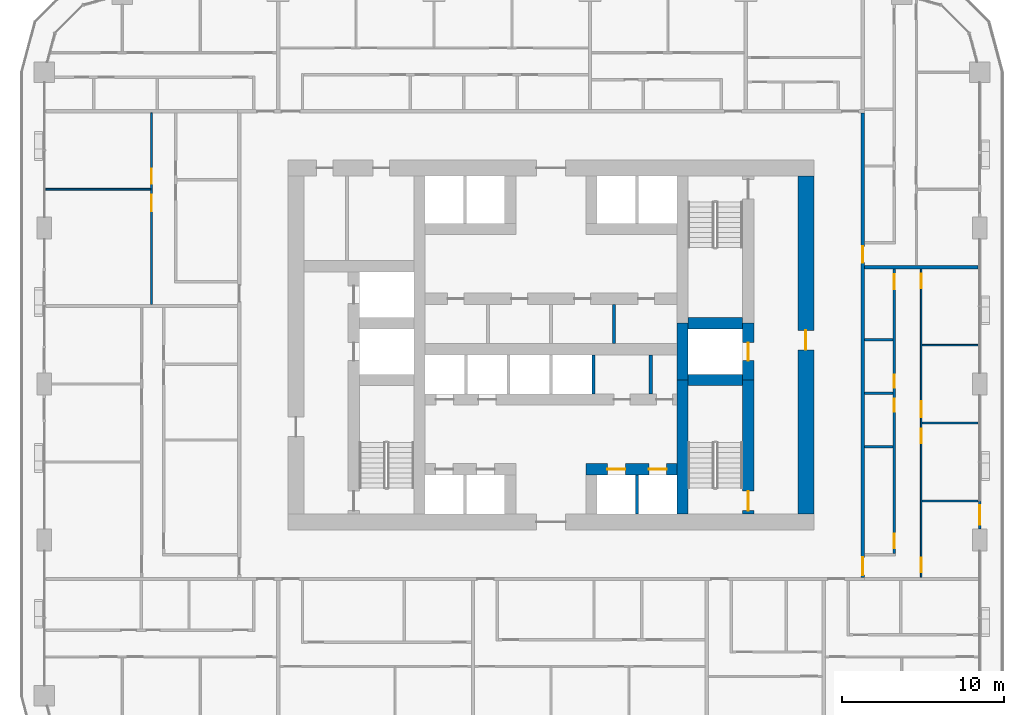
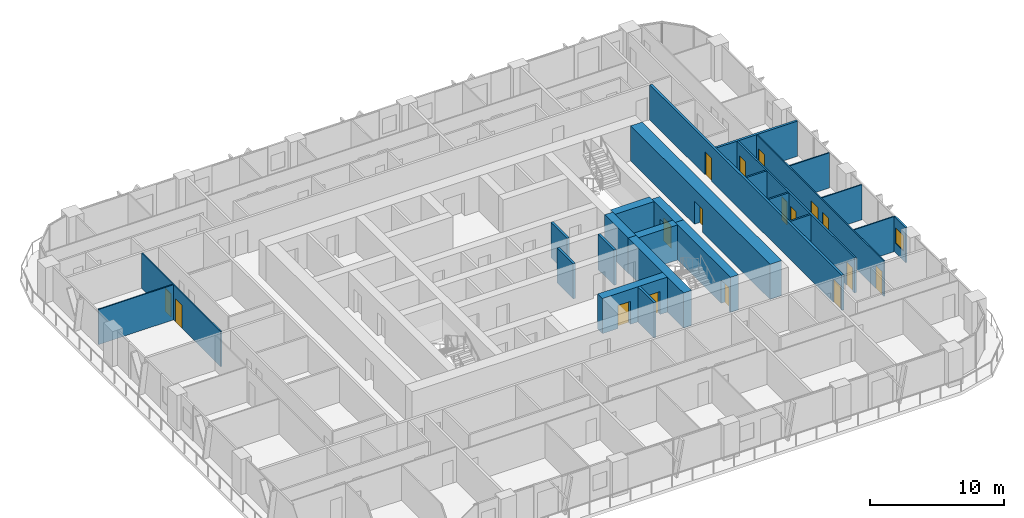
# One storey, part 12 of 21: 25 walls, 17 doors, 1 window, 18 openings.
"""IFC4 building model written with IfcOpenShell, lengths in metres."""

import ifcopenshell
import ifcopenshell.guid

model = None  # the IFC model being written
_history = None  # IfcOwnerHistory: only IFC2X3 demands one
_inside = {}  # id of a spatial element -> (the spatial element, [elements in it])
_under = {}  # id of a project, library or spatial element -> (it, [spatial elements below it])
_declared = {}  # id of a project -> (the project, [libraries it declares])
_typed = {}  # id of a type object -> (the type object, [elements of that type])
_made_of = {}  # id of a material, layer set ... -> (it, [elements and type objects made of it])


def new_model(schema):
    """Start an empty IFC model of exactly this schema.

    Asked for "IFC4X3", IfcOpenShell would pick the latest addendum, in which some entities
    have other attributes; the version numbers below select the first issue.
    IFC2X3 requires an IfcOwnerHistory on every rooted entity: one is made here for all.
    """
    global model, _history
    if schema == "IFC4X3":
        model = ifcopenshell.file(schema_version=(4, 3, 0, 0))
    else:
        model = ifcopenshell.file(schema=schema)
    _inside.clear()
    _under.clear()
    _declared.clear()
    _typed.clear()
    _made_of.clear()
    _history = None
    if model.schema == "IFC2X3":
        org = make("IfcOrganization", Name="unknown")
        user = make(
            "IfcPersonAndOrganization",
            ThePerson=make("IfcPerson", FamilyName="unknown"),
            TheOrganization=org,
        )
        app = make(
            "IfcApplication",
            ApplicationDeveloper=org,
            Version="unknown",
            ApplicationFullName="unknown",
            ApplicationIdentifier="unknown",
        )
        _history = make(
            "IfcOwnerHistory",
            OwningUser=user,
            OwningApplication=app,
            ChangeAction="ADDED",
            CreationDate=0,
        )
    return model


def make(cls, **values):
    """One entity of the class cls with the attributes given. An attribute that is None is left unset."""
    return model.create_entity(
        cls, **{name: value for name, value in values.items() if value is not None}
    )


def rooted(cls, **values):
    """An entity with a GlobalId (a new one), such as an element, a storey or a relation."""
    return make(cls, GlobalId=ifcopenshell.guid.new(), OwnerHistory=_history, **values)


def si_unit(unit_type, name, prefix=None):
    """IfcSIUnit, for example si_unit("LENGTHUNIT", "METRE", prefix="MILLI")."""
    return make("IfcSIUnit", UnitType=unit_type, Prefix=prefix, Name=name)


def assignment(units):
    """IfcUnitAssignment: the units of a project."""
    return None if units is None else make("IfcUnitAssignment", Units=units)


def point(xyz):
    """IfcCartesianPoint."""
    return None if xyz is None else make("IfcCartesianPoint", Coordinates=xyz)


def direction(xyz):
    """IfcDirection."""
    return None if xyz is None else make("IfcDirection", DirectionRatios=xyz)


def frame(location, z_axis=None, x_axis=None):
    """IfcAxis2Placement3D, a coordinate frame: its origin and axes. An axis left out is left unset."""
    return make(
        "IfcAxis2Placement3D",
        Location=point(location),
        Axis=direction(z_axis),
        RefDirection=direction(x_axis),
    )


def frame_2d(location, x_axis=None):
    """IfcAxis2Placement2D, a coordinate frame in the plane: its origin and x axis."""
    return make(
        "IfcAxis2Placement2D", Location=point(location), RefDirection=direction(x_axis)
    )


def origin():
    """The frame at (0, 0, 0) with its axes left unset."""
    return frame((0.0, 0.0, 0.0))


def place(relative_to, where):
    """IfcLocalPlacement: puts the frame where relative to a parent placement (None: the world)."""
    return make(
        "IfcLocalPlacement", PlacementRelTo=relative_to, RelativePlacement=where
    )


def context(
    kind, dimensions, precision=None, world=None, true_north=None, identifier=None
):
    """IfcGeometricRepresentationContext, for example the 3D "Model" context."""
    return make(
        "IfcGeometricRepresentationContext",
        ContextIdentifier=identifier,
        ContextType=kind,
        CoordinateSpaceDimension=dimensions,
        Precision=precision,
        WorldCoordinateSystem=world,
        TrueNorth=true_north,
    )


def subcontext(parent, identifier, kind, view, scale=None):
    """IfcGeometricRepresentationSubContext, for example "Body" below "Model"."""
    return make(
        "IfcGeometricRepresentationSubContext",
        ContextIdentifier=identifier,
        ContextType=kind,
        ParentContext=parent,
        TargetScale=scale,
        TargetView=view,
    )


def project(units=None, contexts=None):
    """IfcProject with its units and contexts."""
    return rooted(
        "IfcProject",
        Name="project",
        RepresentationContexts=contexts,
        UnitsInContext=assignment(units),
    )


def spatial(cls, under=None, at=None, **own):
    """A site, building, storey or space (cls), placed at a placement, below another one or the project."""
    s = rooted(cls, ObjectPlacement=at, **own)
    if under is not None:
        _under.setdefault(under.id(), (under, []))[1].append(s)
    return s


def profile(cls, at=None, kind="AREA", **sizes):
    """A parametric profile (cls). Its sizes go by their IFC names, for example OverallWidth=200.0."""
    return make(cls, ProfileType=kind, Position=at, **sizes)


def rectangle(**sizes):
    """IfcRectangleProfileDef."""
    return profile("IfcRectangleProfileDef", **sizes)


def extrude(swept, where, along, depth):
    """IfcExtrudedAreaSolid: the profile swept, set in the frame where, extruded along a direction by depth."""
    return make(
        "IfcExtrudedAreaSolid",
        SweptArea=swept,
        Position=where,
        ExtrudedDirection=direction(along),
        Depth=depth,
    )


def shape(context_of_items, identifier, shape_type, items):
    """IfcShapeRepresentation: the items that make up one representation, for example the "Body"."""
    return make(
        "IfcShapeRepresentation",
        ContextOfItems=context_of_items,
        RepresentationIdentifier=identifier,
        RepresentationType=shape_type,
        Items=items,
    )


def material(Name=None, Category=None):
    """IfcMaterial."""
    return make("IfcMaterial", Name=Name, Category=Category)


def layer(
    of_material, thickness, ventilated=None, Name=None, Category=None, Priority=None
):
    """IfcMaterialLayer: one layer of a wall or slab, of a material (None: an air gap)."""
    return make(
        "IfcMaterialLayer",
        Material=of_material,
        LayerThickness=thickness,
        IsVentilated=ventilated,
        Name=Name,
        Category=Category,
        Priority=Priority,
    )


def layer_set(layers, Name=None):
    """IfcMaterialLayerSet."""
    return make("IfcMaterialLayerSet", MaterialLayers=layers, LayerSetName=Name)


def made_of(thing, what):
    """Note that an element or type object is made of a material, layer set ...; save() writes the relation."""
    if what is not None:
        _made_of.setdefault(what.id(), (what, []))[1].append(thing)
    return thing


def type_object(cls, material=None, **own):
    """A type object (cls), such as IfcWallType, which elements share."""
    return made_of(rooted(cls, **own), material)


def element(
    cls,
    number,
    at=None,
    inside=None,
    cuts=None,
    type_object=None,
    material=None,
    context=None,
    identifier="Body",
    shape_type=None,
    held_by="IfcProductDefinitionShape",
    body=None,
    shapes=None,
    **own,
):
    """One element of the class cls, such as IfcWall. Its Tag is "e" and its number.

    at: its placement. inside: the storey or other place that contains it. cuts: it is an
    opening in that element (IfcRelVoidsElement). A single representation is given by context,
    identifier, shape_type and body (its items); several are given by shapes. held_by: the class
    of the entity that holds the representations. save() writes the other relations.
    """
    e = rooted(cls, Tag="e%d" % number, ObjectPlacement=at, **own)
    if body is not None:
        shapes = [shape(context, identifier, shape_type, body)]
    if shapes is not None:
        e.Representation = make(held_by, Representations=shapes)
    if inside is not None:
        _inside.setdefault(inside.id(), (inside, []))[1].append(e)
    if cuts is not None:
        rooted(
            "IfcRelVoidsElement", RelatingBuildingElement=cuts, RelatedOpeningElement=e
        )
    if type_object is not None:
        _typed.setdefault(type_object.id(), (type_object, []))[1].append(e)
    return made_of(e, material)


def fill(opening, filler):
    """IfcRelFillsElement: the door or window that sits in an opening."""
    return rooted(
        "IfcRelFillsElement",
        RelatingOpeningElement=opening,
        RelatedBuildingElement=filler,
    )


def aggregate(whole, parts):
    """IfcRelAggregates: a whole, such as a stair, and the parts it consists of."""
    return rooted("IfcRelAggregates", RelatingObject=whole, RelatedObjects=parts)


def save(model, path):
    """Write the relations noted so far, then the file.

    IfcRelAggregates (storeys below a building ...), IfcRelContainedInSpatialStructure (elements
    in a storey), IfcRelDefinesByType, IfcRelAssociatesMaterial and IfcRelDeclares: one each for
    every whole, place, type object, material and project.
    """
    for whole, parts in _under.values():
        aggregate(whole, parts)
    for where, things in _inside.values():
        rooted(
            "IfcRelContainedInSpatialStructure",
            RelatedElements=things,
            RelatingStructure=where,
        )
    for kind, things in _typed.values():
        rooted("IfcRelDefinesByType", RelatedObjects=things, RelatingType=kind)
    for what, things in _made_of.values():
        rooted("IfcRelAssociatesMaterial", RelatedObjects=things, RelatingMaterial=what)
    for by, libraries in _declared.values():
        rooted("IfcRelDeclares", RelatingContext=by, RelatedDefinitions=libraries)
    model.write(path)


model = new_model("IFC4")

# Units and contexts
model_context = context("Model", 3, precision=1e-05, world=origin(), true_north=direction((0.0, 1.0)))
body_context = subcontext(model_context, "Body", "Model", "MODEL_VIEW")
ifc_project = project(units=[si_unit("LENGTHUNIT", "METRE"), si_unit("AREAUNIT", "SQUARE_METRE"), si_unit("VOLUMEUNIT", "CUBIC_METRE"), si_unit("PLANEANGLEUNIT", "RADIAN"), si_unit("MASSUNIT", "GRAM", prefix="KILO")], contexts=[model_context])

# Site, building, storey
site_placement = place(None, origin())
site = spatial("IfcSite", under=ifc_project, at=site_placement, CompositionType="ELEMENT")
building_placement = place(site_placement, origin())
building = spatial("IfcBuilding", under=site, at=building_placement, Name="Madar Terraces", CompositionType="ELEMENT")
storey_placement = place(building_placement, frame((0.0, 0.0, 36.39990234375)))
storey = spatial("IfcBuildingStorey", under=building, at=storey_placement, Name="L08", CompositionType="ELEMENT", Elevation=36.39990234375)

# Walls
ifc_material_1 = material(Name="Concrete C80/95", Category="concrete")
ifc_layer_1 = layer(ifc_material_1, 0.699951171875)
ifc_layer_set_1 = layer_set([ifc_layer_1], Name="Concrete C80/95 (CIW1 RC wall 700)")
wall_type_1 = type_object("IfcWallType", Name="CIW1 RC wall 700", PredefinedType="SHEAR", material=ifc_layer_set_1)
wall_1_placement = place(storey_placement, frame((39.300048828125, 16.0, 0.0), z_axis=(0.0, 0.0, 1.0), x_axis=(0.0, 1.0, 0.0)))
element("IfcWall", 1, at=wall_1_placement, inside=storey, type_object=wall_type_1, Name="CORE SHAFT WALL", PredefinedType="SHEAR", context=body_context, shape_type="SweptSolid", body=[
    extrude(rectangle(XDim=8.25, YDim=0.699951171875, at=frame_2d((4.125, 0.0))), origin(), (0.0, 0.0, 1.0), 3.2001953125),
])
wall_2_placement = place(storey_placement, frame((39.300048828125, 24.25, 0.0), z_axis=(0.0, 0.0, 1.0), x_axis=(0.0, 1.0, 0.0)))
element("IfcWall", 2, at=wall_2_placement, inside=storey, type_object=wall_type_1, Name="CORE SHAFT WALL", PredefinedType="SHEAR", context=body_context, shape_type="SweptSolid", body=[
    extrude(rectangle(XDim=3.5, YDim=0.699951171875, at=frame_2d((1.75, 0.0))), origin(), (0.0, 0.0, 1.0), 3.2001953125),
])

# Wall, opening, door
wall_3_placement = place(storey_placement, frame((43.35009765625, 16.0, 0.0), z_axis=(0.0, 0.0, 1.0), x_axis=(0.0, 1.0, 0.0)))
wall_3 = element("IfcWall", 3, at=wall_3_placement, inside=storey, type_object=wall_type_1, Name="CORE SHAFT WALL", PredefinedType="SHEAR", context=body_context, shape_type="SweptSolid", body=[
    extrude(rectangle(XDim=8.25, YDim=0.699951171875, at=frame_2d((4.125, 0.0))), origin(), (0.0, 0.0, 1.0), 3.2001953125),
])
opening_1_placement = place(wall_3_placement, frame((0.199951171875, 0.0, 0.0)))
opening_1 = element("IfcOpeningElement", 4, at=opening_1_placement, cuts=wall_3, Name="Opening SD1", PredefinedType="OPENING", context=body_context, shape_type="SweptSolid", body=[
    extrude(rectangle(XDim=1.199951171875, YDim=2.10009765625, at=frame_2d((0.60009765625, 1.050048828125))), frame((0.0, 0.35986328125, 0.0), z_axis=(0.0, -1.0, 0.0), x_axis=(1.0, 0.0, 0.0)), (0.0, 0.0, 1.0), 0.719970703125),
])
ifc_material_2 = material(Name="Steel door leaf", Category="steel")
door_type_1 = type_object("IfcDoorType", Name="Stair door 1200 x 2100", OperationType="NOTDEFINED", PredefinedType="DOOR", material=ifc_material_2)
door_1_placement = place(opening_1_placement, origin())
door_1 = element("IfcDoor", 5, at=door_1_placement, inside=storey, type_object=door_type_1, Name="STAIR DOOR", OperationType="SINGLE_SWING_LEFT", OverallHeight=2.10009765625, OverallWidth=1.199951171875, PredefinedType="DOOR", context=body_context, shape_type="SweptSolid", body=[
    extrude(rectangle(XDim=1.199951171875, YDim=2.10009765625, at=frame_2d((0.60009765625, 1.050048828125))), frame((0.0, 0.02490234375, 0.0), z_axis=(0.0, -1.0, 0.0), x_axis=(1.0, 0.0, 0.0)), (0.0, 0.0, 1.0), 0.050048828125),
])
fill(opening_1, door_1)

wall_4_placement = place(storey_placement, frame((43.35009765625, 24.25, 0.0), z_axis=(0.0, 0.0, 1.0), x_axis=(0.0, 1.0, 0.0)))
wall_4 = element("IfcWall", 6, at=wall_4_placement, inside=storey, type_object=wall_type_1, Name="CORE SHAFT WALL", PredefinedType="SHEAR", context=body_context, shape_type="SweptSolid", body=[
    extrude(rectangle(XDim=3.5, YDim=0.699951171875, at=frame_2d((1.75, 0.0))), origin(), (0.0, 0.0, 1.0), 3.2001953125),
])
opening_2_placement = place(wall_4_placement, frame((1.199951171875, 0.0, 0.0)))
opening_2 = element("IfcOpeningElement", 7, at=opening_2_placement, cuts=wall_4, Name="Opening LD", PredefinedType="OPENING", context=body_context, shape_type="SweptSolid", body=[
    extrude(rectangle(XDim=1.10009765625, YDim=2.10009765625, at=frame_2d((0.550048828125, 1.050048828125))), frame((0.0, 0.35986328125, 0.0), z_axis=(0.0, -1.0, 0.0), x_axis=(1.0, 0.0, 0.0)), (0.0, 0.0, 1.0), 0.719970703125),
])
ifc_material_3 = material(Name="Stainless steel panel", Category="steel")
door_type_2 = type_object("IfcDoorType", Name="Lift landing door 1100 x 2100", OperationType="DOUBLE_DOOR_SLIDING", PredefinedType="DOOR", material=ifc_material_3)
door_2_placement = place(opening_2_placement, origin())
door_2 = element("IfcDoor", 8, at=door_2_placement, inside=storey, type_object=door_type_2, Name="LIFT LANDING DOOR", OperationType="DOUBLE_DOOR_SLIDING", OverallHeight=2.10009765625, OverallWidth=1.10009765625, PredefinedType="DOOR", context=body_context, shape_type="SweptSolid", body=[
    extrude(rectangle(XDim=1.10009765625, YDim=2.10009765625, at=frame_2d((0.550048828125, 1.050048828125))), frame((0.0, 0.02490234375, 0.0), z_axis=(0.0, -1.0, 0.0), x_axis=(1.0, 0.0, 0.0)), (0.0, 0.0, 1.0), 0.050048828125),
])
fill(opening_2, door_2)

# Walls
for number, where, z_axis, x_axis, name in (
    (9, (39.64990234375, 24.25, 0.0), (0.0, 0.0, 1.0), (1.0, 0.0, 0.0), "CORE SHAFT WALL"),
    (10, (39.64990234375, 27.75, 0.0), (0.0, 0.0, 1.0), (1.0, 0.0, 0.0), "CORE SHAFT WALL"),
):
    element("IfcWall", number, at=place(storey_placement, frame(where, z_axis=z_axis, x_axis=x_axis)), inside=storey, type_object=wall_type_1, Name=name, PredefinedType="SHEAR", context=body_context, shape_type="SweptSolid", body=[
        extrude(rectangle(XDim=3.35009765625, YDim=0.699951171875, at=frame_2d((1.675048828125, 0.0))), origin(), (0.0, 0.0, 1.0), 3.2001953125),
    ])

# Wall, openings, doors
wall_5_placement = place(storey_placement, frame((33.35009765625, 18.75, 0.0), z_axis=(0.0, 0.0, 1.0), x_axis=(1.0, 0.0, 0.0)))
wall_5 = element("IfcWall", 11, at=wall_5_placement, inside=storey, type_object=wall_type_1, Name="CORE SHAFT WALL", PredefinedType="SHEAR", context=body_context, shape_type="SweptSolid", body=[
    extrude(rectangle(XDim=5.599853515625, YDim=0.699951171875, at=frame_2d((2.7998046875, 0.0))), origin(), (0.0, 0.0, 1.0), 3.2001953125),
])
opening_3_placement = place(wall_5_placement, frame((1.324951171875, 0.0, 0.0)))
opening_3 = element("IfcOpeningElement", 12, at=opening_3_placement, cuts=wall_5, Name="Opening LD", PredefinedType="OPENING", context=body_context, shape_type="SweptSolid", body=[
    extrude(rectangle(XDim=1.10009765625, YDim=2.10009765625, at=frame_2d((0.550048828125, 1.050048828125))), frame((0.0, 0.35986328125, 0.0), z_axis=(0.0, -1.0, 0.0), x_axis=(1.0, 0.0, 0.0)), (0.0, 0.0, 1.0), 0.719970703125),
])
opening_4_placement = place(wall_5_placement, frame((3.875, 0.0, 0.0)))
opening_4 = element("IfcOpeningElement", 13, at=opening_4_placement, cuts=wall_5, Name="Opening LD", PredefinedType="OPENING", context=body_context, shape_type="SweptSolid", body=[
    extrude(rectangle(XDim=1.10009765625, YDim=2.10009765625, at=frame_2d((0.550048828125, 1.050048828125))), frame((0.0, 0.35986328125, 0.0), z_axis=(0.0, -1.0, 0.0), x_axis=(1.0, 0.0, 0.0)), (0.0, 0.0, 1.0), 0.719970703125),
])
door_3_placement = place(opening_3_placement, origin())
door_3 = element("IfcDoor", 14, at=door_3_placement, inside=storey, type_object=door_type_2, Name="LIFT LANDING DOOR", OperationType="DOUBLE_DOOR_SLIDING", OverallHeight=2.10009765625, OverallWidth=1.10009765625, PredefinedType="DOOR", context=body_context, shape_type="SweptSolid", body=[
    extrude(rectangle(XDim=1.10009765625, YDim=2.10009765625, at=frame_2d((0.550048828125, 1.050048828125))), frame((0.0, 0.02490234375, 0.0), z_axis=(0.0, -1.0, 0.0), x_axis=(1.0, 0.0, 0.0)), (0.0, 0.0, 1.0), 0.050048828125),
])
fill(opening_3, door_3)
door_4_placement = place(opening_4_placement, origin())
door_4 = element("IfcDoor", 15, at=door_4_placement, inside=storey, type_object=door_type_2, Name="LIFT LANDING DOOR", OperationType="DOUBLE_DOOR_SLIDING", OverallHeight=2.10009765625, OverallWidth=1.10009765625, PredefinedType="DOOR", context=body_context, shape_type="SweptSolid", body=[
    extrude(rectangle(XDim=1.10009765625, YDim=2.10009765625, at=frame_2d((0.550048828125, 1.050048828125))), frame((0.0, 0.02490234375, 0.0), z_axis=(0.0, -1.0, 0.0), x_axis=(1.0, 0.0, 0.0)), (0.0, 0.0, 1.0), 0.050048828125),
])
fill(opening_4, door_4)

# Wall, opening, door
ifc_material_4 = material(Name="Concrete C80/95", Category="concrete")
ifc_layer_2 = layer(ifc_material_4, 1.0)
ifc_layer_set_2 = layer_set([ifc_layer_2], Name="Concrete C80/95 (CRW1 RC wall 1000)")
wall_type_2 = type_object("IfcWallType", Name="CRW1 RC wall 1000", PredefinedType="SHEAR", material=ifc_layer_set_2)
wall_6_placement = place(storey_placement, frame((46.89990234375, 16.0, 0.0), z_axis=(0.0, 0.0, 1.0), x_axis=(0.0, 1.0, 0.0)))
wall_6 = element("IfcWall", 16, at=wall_6_placement, inside=storey, type_object=wall_type_2, Name="CORE OUTER WALL", PredefinedType="SHEAR", context=body_context, shape_type="SweptSolid", body=[
    extrude(rectangle(XDim=20.800048828125, YDim=1.0, at=frame_2d((10.39990234375, 0.0))), origin(), (0.0, 0.0, 1.0), 3.2001953125),
])
opening_5_placement = place(wall_6_placement, frame((10.10009765625, 0.0, 0.0)))
opening_5 = element("IfcOpeningElement", 17, at=opening_5_placement, cuts=wall_6, Name="Opening SD1", PredefinedType="OPENING", context=body_context, shape_type="SweptSolid", body=[
    extrude(rectangle(XDim=1.199951171875, YDim=2.10009765625, at=frame_2d((0.60009765625, 1.050048828125))), frame((0.0, 0.510009765625, 0.0), z_axis=(0.0, -1.0, 0.0), x_axis=(1.0, 0.0, 0.0)), (0.0, 0.0, 1.0), 1.02001953125),
])
door_5_placement = place(opening_5_placement, origin())
door_5 = element("IfcDoor", 18, at=door_5_placement, inside=storey, type_object=door_type_1, Name="STAIR DOOR", OperationType="SINGLE_SWING_RIGHT", OverallHeight=2.10009765625, OverallWidth=1.199951171875, PredefinedType="DOOR", context=body_context, shape_type="SweptSolid", body=[
    extrude(rectangle(XDim=1.199951171875, YDim=2.10009765625, at=frame_2d((0.60009765625, 1.050048828125))), frame((0.0, 0.02490234375, 0.0), z_axis=(0.0, -1.0, 0.0), x_axis=(1.0, 0.0, 0.0)), (0.0, 0.0, 1.0), 0.050048828125),
])
fill(opening_5, door_5)

# Walls
ifc_material_5 = material(Name="Masonry blockwork", Category="masonry")
ifc_layer_3 = layer(ifc_material_5, 0.199951171875)
ifc_layer_set_3 = layer_set([ifc_layer_3], Name="Core partition 200 blockwork")
wall_type_3 = type_object("IfcWallType", Name="Core partition 200 blockwork", PredefinedType="PARTITIONING", material=ifc_layer_set_3)
wall_7_placement = place(storey_placement, frame((37.33935546875, 23.39990234375, 0.0), z_axis=(0.0, 0.0, 1.0), x_axis=(0.0, 1.0, 0.0)))
element("IfcWall", 19, at=wall_7_placement, inside=storey, type_object=wall_type_3, Name="SERVICE ROOM PARTITION", PredefinedType="PARTITIONING", context=body_context, shape_type="SweptSolid", body=[
    extrude(rectangle(XDim=2.400146484375, YDim=0.199951171875, at=frame_2d((1.2001953125, 0.0))), origin(), (0.0, 0.0, 1.0), 3.2001953125),
])
wall_8_placement = place(storey_placement, frame((35.074951171875, 26.5, 0.0), z_axis=(0.0, 0.0, 1.0), x_axis=(0.0, 1.0, 0.0)))
element("IfcWall", 20, at=wall_8_placement, inside=storey, type_object=wall_type_3, Name="SERVICE ROOM PARTITION", PredefinedType="PARTITIONING", context=body_context, shape_type="SweptSolid", body=[
    extrude(rectangle(XDim=2.39990234375, YDim=0.199951171875, at=frame_2d((1.199951171875, 0.0))), origin(), (0.0, 0.0, 1.0), 3.2001953125),
])
ifc_material_6 = material(Name="Concrete C40/50", Category="concrete")
ifc_layer_4 = layer(ifc_material_6, 0.199951171875)
ifc_layer_set_4 = layer_set([ifc_layer_4], Name="Core shaft dividing wall 200 C40/50")
wall_type_4 = type_object("IfcWallType", Name="Core shaft dividing wall 200 C40/50", PredefinedType="SOLIDWALL", material=ifc_layer_set_4)
wall_9_placement = place(storey_placement, frame((33.816650390625, 23.39990234375, 0.0), z_axis=(0.0, 0.0, 1.0), x_axis=(0.0, 1.0, 0.0)))
element("IfcWall", 21, at=wall_9_placement, inside=storey, type_object=wall_type_4, Name="SHAFT DIVIDING WALL", PredefinedType="SOLIDWALL", context=body_context, shape_type="SweptSolid", body=[
    extrude(rectangle(XDim=2.400146484375, YDim=0.199951171875, at=frame_2d((1.2001953125, 0.0))), origin(), (0.0, 0.0, 1.0), 3.2001953125),
])
wall_10_placement = place(storey_placement, frame((36.5, 16.0, 0.0), z_axis=(0.0, 0.0, 1.0), x_axis=(0.0, 1.0, 0.0)))
element("IfcWall", 22, at=wall_10_placement, inside=storey, type_object=wall_type_4, Name="SHAFT DIVIDING WALL", PredefinedType="SOLIDWALL", context=body_context, shape_type="SweptSolid", body=[
    extrude(rectangle(XDim=2.39990234375, YDim=0.199951171875, at=frame_2d((1.199951171875, 0.0))), origin(), (0.0, 0.0, 1.0), 3.2001953125),
])

# Wall, opening, window
ifc_material_7 = material(Name="Aluminium composite panel, black, over insulated backing", Category="aluminium")
ifc_layer_5 = layer(ifc_material_7, 0.14990234375)
ifc_layer_set_5 = layer_set([ifc_layer_5], Name="Facade bay panel 150")
wall_type_5 = type_object("IfcWallType", Name="Facade bay panel 150", PredefinedType="SOLIDWALL", material=ifc_layer_set_5)
wall_11_placement = place(storey_placement, frame((57.60009765625, 15.074951171875, 0.0), z_axis=(0.0, 0.0, 1.0), x_axis=(0.0, 1.0, 0.0)))
wall_11 = element("IfcWall", 23, at=wall_11_placement, inside=storey, type_object=wall_type_5, Name="Facade bay panel", PredefinedType="SOLIDWALL", context=body_context, shape_type="SweptSolid", body=[
    extrude(rectangle(XDim=1.72509765625, YDim=0.14990234375, at=frame_2d((0.862548828125, 0.0))), origin(), (0.0, 0.0, 1.0), 3.2001953125),
])
opening_6_placement = place(wall_11_placement, frame((0.262451171875, 0.0, 0.89990234375)))
opening_6 = element("IfcOpeningElement", 24, at=opening_6_placement, cuts=wall_11, Name="Opening W1", PredefinedType="OPENING", context=body_context, shape_type="SweptSolid", body=[
    extrude(rectangle(XDim=1.199951171875, YDim=1.39990234375, at=frame_2d((0.60009765625, 0.699951171875))), frame((0.0, 0.0849609375, 0.0), z_axis=(0.0, -1.0, 0.0), x_axis=(1.0, 0.0, 0.0)), (0.0, 0.0, 1.0), 0.169921875),
])
ifc_material_8 = material(Name="Glass, clear, with black aluminium frame", Category="aluminium")
window_type = type_object("IfcWindowType", Name="Vent window 1200 x 1400", PartitioningType="SINGLE_PANEL", PredefinedType="WINDOW", material=ifc_material_8)
window_placement = place(opening_6_placement, origin())
window = element("IfcWindow", 25, at=window_placement, inside=storey, type_object=window_type, Name="Operable vent window", OverallHeight=1.39990234375, OverallWidth=1.199951171875, PartitioningType="SINGLE_PANEL", PredefinedType="WINDOW", context=body_context, shape_type="SweptSolid", body=[
    extrude(rectangle(XDim=1.199951171875, YDim=1.39990234375, at=frame_2d((0.60009765625, 0.699951171875))), frame((0.0, 0.030029296875, 0.0), z_axis=(0.0, -1.0, 0.0), x_axis=(1.0, 0.0, 0.0)), (0.0, 0.0, 1.0), 0.06005859375),
])
fill(opening_6, window)

# Walls
ifc_material_9 = material(Name="Gypsum board on steel studs", Category="steel")
ifc_layer_6 = layer(ifc_material_9, 0.10009765625)
ifc_layer_set_6 = layer_set([ifc_layer_6], Name="Flat partition 100")
wall_type_6 = type_object("IfcWallType", Name="Flat partition 100", PredefinedType="PARTITIONING", material=ifc_layer_set_6)
for number, where, z_axis, x_axis, name in (
    (26, (54.050048828125, 16.800048828125, 0.0), (0.0, 0.0, 1.0), (1.0, 0.0, 0.0), "Flat partition 100"),
    (27, (54.050048828125, 21.60009765625, 0.0), (0.0, 0.0, 1.0), (1.0, 0.0, 0.0), "Flat partition 100"),
    (28, (54.050048828125, 26.39990234375, 0.0), (0.0, 0.0, 1.0), (1.0, 0.0, 0.0), "Flat partition 100"),
):
    element("IfcWall", number, at=place(storey_placement, frame(where, z_axis=z_axis, x_axis=x_axis)), inside=storey, type_object=wall_type_6, Name=name, PredefinedType="PARTITIONING", context=body_context, shape_type="SweptSolid", body=[
        extrude(rectangle(XDim=3.449951171875, YDim=0.10009765625, at=frame_2d((1.72509765625, 0.0))), origin(), (0.0, 0.0, 1.0), 3.2001953125),
    ])

# Wall, openings, doors
wall_12_placement = place(storey_placement, frame((54.0, 31.10009765625, 0.0), z_axis=(0.0, 0.0, 1.0), x_axis=(0.0, -1.0, 0.0)))
wall_12 = element("IfcWall", 29, at=wall_12_placement, inside=storey, type_object=wall_type_6, Name="Flat partition 100", PredefinedType="PARTITIONING", context=body_context, shape_type="SweptSolid", body=[
    extrude(rectangle(XDim=19.0, YDim=0.10009765625, at=frame_2d((9.5, 0.0))), origin(), (0.0, 0.0, 1.0), 3.2001953125),
])
opening_7_placement = place(wall_12_placement, frame((17.800048828125, 0.0, 0.0)))
opening_7 = element("IfcOpeningElement", 30, at=opening_7_placement, cuts=wall_12, Name="Opening D2", PredefinedType="OPENING", context=body_context, shape_type="SweptSolid", body=[
    extrude(rectangle(XDim=0.89990234375, YDim=2.10009765625, at=frame_2d((0.449951171875, 1.050048828125))), frame((0.0, 0.06005859375, 0.0), z_axis=(0.0, -1.0, 0.0), x_axis=(1.0, 0.0, 0.0)), (0.0, 0.0, 1.0), 0.1201171875),
])
opening_8_placement = place(wall_12_placement, frame((9.85009765625, 0.0, 0.0)))
opening_8 = element("IfcOpeningElement", 31, at=opening_8_placement, cuts=wall_12, Name="Opening D2", PredefinedType="OPENING", context=body_context, shape_type="SweptSolid", body=[
    extrude(rectangle(XDim=0.89990234375, YDim=2.10009765625, at=frame_2d((0.449951171875, 1.050048828125))), frame((0.0, 0.06005859375, 0.0), z_axis=(0.0, -1.0, 0.0), x_axis=(1.0, 0.0, 0.0)), (0.0, 0.0, 1.0), 0.1201171875),
])
opening_9_placement = place(wall_12_placement, frame((8.14990234375, 0.0, 0.0)))
opening_9 = element("IfcOpeningElement", 32, at=opening_9_placement, cuts=wall_12, Name="Opening D3", PredefinedType="OPENING", context=body_context, shape_type="SweptSolid", body=[
    extrude(rectangle(XDim=1.0, YDim=2.10009765625, at=frame_2d((0.5, 1.050048828125))), frame((0.0, 0.06005859375, 0.0), z_axis=(0.0, -1.0, 0.0), x_axis=(1.0, 0.0, 0.0)), (0.0, 0.0, 1.0), 0.1201171875),
])
opening_10_placement = place(wall_12_placement, frame((0.300048828125, 0.0, 0.0)))
opening_10 = element("IfcOpeningElement", 33, at=opening_10_placement, cuts=wall_12, Name="Opening D2", PredefinedType="OPENING", context=body_context, shape_type="SweptSolid", body=[
    extrude(rectangle(XDim=0.89990234375, YDim=2.10009765625, at=frame_2d((0.449951171875, 1.050048828125))), frame((0.0, 0.06005859375, 0.0), z_axis=(0.0, -1.0, 0.0), x_axis=(1.0, 0.0, 0.0)), (0.0, 0.0, 1.0), 0.1201171875),
])
ifc_material_10 = material(Name="Timber door leaf", Category="wood")
door_type_3 = type_object("IfcDoorType", Name="Flat living room door 1000", OperationType="NOTDEFINED", PredefinedType="DOOR", material=ifc_material_10)
door_6_placement = place(opening_9_placement, origin())
door_6 = element("IfcDoor", 34, at=door_6_placement, inside=storey, type_object=door_type_3, Name="Flat living room door 1000", OperationType="SINGLE_SWING_RIGHT", OverallHeight=2.10009765625, OverallWidth=1.0, PredefinedType="DOOR", context=body_context, shape_type="SweptSolid", body=[
    extrude(rectangle(XDim=1.0, YDim=2.10009765625, at=frame_2d((0.5, 1.050048828125))), frame((0.0, 0.02490234375, 0.0), z_axis=(0.0, -1.0, 0.0), x_axis=(1.0, 0.0, 0.0)), (0.0, 0.0, 1.0), 0.050048828125),
])
fill(opening_9, door_6)
ifc_material_11 = material(Name="Timber door leaf", Category="wood")
door_type_4 = type_object("IfcDoorType", Name="Flat room door 900", OperationType="NOTDEFINED", PredefinedType="DOOR", material=ifc_material_11)
door_7_placement = place(opening_7_placement, origin())
door_7 = element("IfcDoor", 35, at=door_7_placement, inside=storey, type_object=door_type_4, Name="Flat room door 900", OperationType="SINGLE_SWING_RIGHT", OverallHeight=2.10009765625, OverallWidth=0.89990234375, PredefinedType="DOOR", context=body_context, shape_type="SweptSolid", body=[
    extrude(rectangle(XDim=0.89990234375, YDim=2.10009765625, at=frame_2d((0.449951171875, 1.050048828125))), frame((0.0, 0.02490234375, 0.0), z_axis=(0.0, -1.0, 0.0), x_axis=(1.0, 0.0, 0.0)), (0.0, 0.0, 1.0), 0.050048828125),
])
fill(opening_7, door_7)
door_8_placement = place(opening_8_placement, origin())
door_8 = element("IfcDoor", 36, at=door_8_placement, inside=storey, type_object=door_type_4, Name="Flat room door 900", OperationType="SINGLE_SWING_LEFT", OverallHeight=2.10009765625, OverallWidth=0.89990234375, PredefinedType="DOOR", context=body_context, shape_type="SweptSolid", body=[
    extrude(rectangle(XDim=0.89990234375, YDim=2.10009765625, at=frame_2d((0.449951171875, 1.050048828125))), frame((0.0, 0.02490234375, 0.0), z_axis=(0.0, -1.0, 0.0), x_axis=(1.0, 0.0, 0.0)), (0.0, 0.0, 1.0), 0.050048828125),
])
fill(opening_8, door_8)
door_9_placement = place(opening_10_placement, origin())
door_9 = element("IfcDoor", 37, at=door_9_placement, inside=storey, type_object=door_type_4, Name="Flat room door 900", OperationType="SINGLE_SWING_LEFT", OverallHeight=2.10009765625, OverallWidth=0.89990234375, PredefinedType="DOOR", context=body_context, shape_type="SweptSolid", body=[
    extrude(rectangle(XDim=0.89990234375, YDim=2.10009765625, at=frame_2d((0.449951171875, 1.050048828125))), frame((0.0, 0.02490234375, 0.0), z_axis=(0.0, -1.0, 0.0), x_axis=(1.0, 0.0, 0.0)), (0.0, 0.0, 1.0), 0.050048828125),
])
fill(opening_10, door_9)

# Wall
wall_13_placement = place(storey_placement, frame((6.550048828125, 36.0, 0.0), z_axis=(0.0, 0.0, 1.0), x_axis=(-1.0, 0.0, 0.0)))
element("IfcWall", 38, at=wall_13_placement, inside=storey, type_object=wall_type_6, Name="Flat partition 100", PredefinedType="PARTITIONING", context=body_context, shape_type="SweptSolid", body=[
    extrude(rectangle(XDim=6.449951171875, YDim=0.10009765625, at=frame_2d((3.22509765625, 0.0))), origin(), (0.0, 0.0, 1.0), 3.2001953125),
])

# Wall, openings, doors
wall_14_placement = place(storey_placement, frame((6.60009765625, 28.89990234375, 0.0), z_axis=(0.0, 0.0, 1.0), x_axis=(0.0, 1.0, 0.0)))
wall_14 = element("IfcWall", 39, at=wall_14_placement, inside=storey, type_object=wall_type_6, Name="Flat partition 100", PredefinedType="PARTITIONING", context=body_context, shape_type="SweptSolid", body=[
    extrude(rectangle(XDim=11.800048828125, YDim=0.10009765625, at=frame_2d((5.89990234375, 0.0))), origin(), (0.0, 0.0, 1.0), 3.2001953125),
])
opening_11_placement = place(wall_14_placement, frame((5.75, 0.0, 0.0)))
opening_11 = element("IfcOpeningElement", 40, at=opening_11_placement, cuts=wall_14, Name="Opening D3", PredefinedType="OPENING", context=body_context, shape_type="SweptSolid", body=[
    extrude(rectangle(XDim=1.0, YDim=2.10009765625, at=frame_2d((0.5, 1.050048828125))), frame((0.0, 0.06005859375, 0.0), z_axis=(0.0, -1.0, 0.0), x_axis=(1.0, 0.0, 0.0)), (0.0, 0.0, 1.0), 0.1201171875),
])
opening_12_placement = place(wall_14_placement, frame((7.449951171875, 0.0, 0.0)))
opening_12 = element("IfcOpeningElement", 41, at=opening_12_placement, cuts=wall_14, Name="Opening D2", PredefinedType="OPENING", context=body_context, shape_type="SweptSolid", body=[
    extrude(rectangle(XDim=0.89990234375, YDim=2.10009765625, at=frame_2d((0.449951171875, 1.050048828125))), frame((0.0, 0.06005859375, 0.0), z_axis=(0.0, -1.0, 0.0), x_axis=(1.0, 0.0, 0.0)), (0.0, 0.0, 1.0), 0.1201171875),
])
door_10_placement = place(opening_11_placement, origin())
door_10 = element("IfcDoor", 42, at=door_10_placement, inside=storey, type_object=door_type_3, Name="Flat living room door 1000", OperationType="SINGLE_SWING_RIGHT", OverallHeight=2.10009765625, OverallWidth=1.0, PredefinedType="DOOR", context=body_context, shape_type="SweptSolid", body=[
    extrude(rectangle(XDim=1.0, YDim=2.10009765625, at=frame_2d((0.5, 1.050048828125))), frame((0.0, 0.02490234375, 0.0), z_axis=(0.0, -1.0, 0.0), x_axis=(1.0, 0.0, 0.0)), (0.0, 0.0, 1.0), 0.050048828125),
])
fill(opening_11, door_10)
door_11_placement = place(opening_12_placement, origin())
door_11 = element("IfcDoor", 43, at=door_11_placement, inside=storey, type_object=door_type_4, Name="Flat room door 900", OperationType="SINGLE_SWING_LEFT", OverallHeight=2.10009765625, OverallWidth=0.89990234375, PredefinedType="DOOR", context=body_context, shape_type="SweptSolid", body=[
    extrude(rectangle(XDim=0.89990234375, YDim=2.10009765625, at=frame_2d((0.449951171875, 1.050048828125))), frame((0.0, 0.02490234375, 0.0), z_axis=(0.0, -1.0, 0.0), x_axis=(1.0, 0.0, 0.0)), (0.0, 0.0, 1.0), 0.050048828125),
])
fill(opening_12, door_11)

ifc_material_12 = material(Name="Lightweight blockwork", Category="masonry")
ifc_layer_7 = layer(ifc_material_12, 0.199951171875)
ifc_layer_set_7 = layer_set([ifc_layer_7], Name="Flat party and entrance wall 200")
wall_type_7 = type_object("IfcWallType", Name="Flat party and entrance wall 200", PredefinedType="PARTITIONING", material=ifc_layer_set_7)
wall_15_placement = place(storey_placement, frame((50.39990234375, 40.699951171875, 0.0), z_axis=(0.0, 0.0, 1.0), x_axis=(0.0, -1.0, 0.0)))
wall_15 = element("IfcWall", 44, at=wall_15_placement, inside=storey, type_object=wall_type_7, Name="Flat party and entrance wall 200", PredefinedType="PARTITIONING", context=body_context, shape_type="SweptSolid", body=[
    extrude(rectangle(XDim=28.599853515625, YDim=0.199951171875, at=frame_2d((14.2998046875, 0.0))), origin(), (0.0, 0.0, 1.0), 3.2001953125),
])
opening_13_placement = place(wall_15_placement, frame((27.375, 0.0, 0.0)))
opening_13 = element("IfcOpeningElement", 45, at=opening_13_placement, cuts=wall_15, Name="Opening D6", PredefinedType="OPENING", context=body_context, shape_type="SweptSolid", body=[
    extrude(rectangle(XDim=1.10009765625, YDim=2.10009765625, at=frame_2d((0.550048828125, 1.050048828125))), frame((0.0, 0.10986328125, 0.0), z_axis=(0.0, -1.0, 0.0), x_axis=(1.0, 0.0, 0.0)), (0.0, 0.0, 1.0), 0.219970703125),
])
opening_14_placement = place(wall_15_placement, frame((8.22509765625, 0.0, 0.0)))
opening_14 = element("IfcOpeningElement", 46, at=opening_14_placement, cuts=wall_15, Name="Opening D1", PredefinedType="OPENING", context=body_context, shape_type="SweptSolid", body=[
    extrude(rectangle(XDim=1.0, YDim=2.10009765625, at=frame_2d((0.5, 1.050048828125))), frame((0.0, 0.10986328125, 0.0), z_axis=(0.0, -1.0, 0.0), x_axis=(1.0, 0.0, 0.0)), (0.0, 0.0, 1.0), 0.219970703125),
])
ifc_material_13 = material(Name="Timber fire door leaf", Category="wood")
door_type_5 = type_object("IfcDoorType", Name="Flat entrance door 1000 FD30S", OperationType="NOTDEFINED", PredefinedType="DOOR", material=ifc_material_13)
door_12_placement = place(opening_14_placement, origin())
door_12 = element("IfcDoor", 47, at=door_12_placement, inside=storey, type_object=door_type_5, Name="Flat entrance door 1000 FD30S", OperationType="SINGLE_SWING_RIGHT", OverallHeight=2.10009765625, OverallWidth=1.0, PredefinedType="DOOR", context=body_context, shape_type="SweptSolid", body=[
    extrude(rectangle(XDim=1.0, YDim=2.10009765625, at=frame_2d((0.5, 1.050048828125))), frame((0.0, 0.02490234375, 0.0), z_axis=(0.0, -1.0, 0.0), x_axis=(1.0, 0.0, 0.0)), (0.0, 0.0, 1.0), 0.050048828125),
])
fill(opening_14, door_12)
ifc_material_14 = material(Name="Timber fire door leaf", Category="wood")
door_type_6 = type_object("IfcDoorType", Name="Flat entrance door 1100 FD30S", OperationType="NOTDEFINED", PredefinedType="DOOR", material=ifc_material_14)
door_13_placement = place(opening_13_placement, origin())
door_13 = element("IfcDoor", 48, at=door_13_placement, inside=storey, type_object=door_type_6, Name="Flat entrance door 1100 FD30S", OperationType="SINGLE_SWING_RIGHT", OverallHeight=2.10009765625, OverallWidth=1.10009765625, PredefinedType="DOOR", context=body_context, shape_type="SweptSolid", body=[
    extrude(rectangle(XDim=1.10009765625, YDim=2.10009765625, at=frame_2d((0.550048828125, 1.050048828125))), frame((0.0, 0.02490234375, 0.0), z_axis=(0.0, -1.0, 0.0), x_axis=(1.0, 0.0, 0.0)), (0.0, 0.0, 1.0), 0.050048828125),
])
fill(opening_13, door_13)

# Walls
wall_16_placement = place(storey_placement, frame((50.5, 31.199951171875, 0.0), z_axis=(0.0, 0.0, 1.0), x_axis=(1.0, 0.0, 0.0)))
element("IfcWall", 49, at=wall_16_placement, inside=storey, type_object=wall_type_7, Name="Flat party and entrance wall 200", PredefinedType="PARTITIONING", context=body_context, shape_type="SweptSolid", body=[
    extrude(rectangle(XDim=7.0, YDim=0.199951171875, at=frame_2d((3.5, 0.0))), origin(), (0.0, 0.0, 1.0), 3.2001953125),
])
ifc_material_15 = material(Name="Lightweight blockwork", Category="masonry")
ifc_layer_8 = layer(ifc_material_15, 0.14990234375)
ifc_layer_set_8 = layer_set([ifc_layer_8], Name="Flat wet-room partition 150")
wall_type_8 = type_object("IfcWallType", Name="Flat wet-room partition 150", PredefinedType="PARTITIONING", material=ifc_layer_set_8)
for number, where, z_axis, x_axis, name in (
    (50, (50.5, 20.14697265625, 0.0), (0.0, 0.0, 1.0), (1.0, 0.0, 0.0), "Flat wet-room partition 150"),
    (51, (50.5, 23.432861328125, 0.0), (0.0, 0.0, 1.0), (1.0, 0.0, 0.0), "Flat wet-room partition 150"),
    (52, (50.5, 26.71875, 0.0), (0.0, 0.0, 1.0), (1.0, 0.0, 0.0), "Flat wet-room partition 150"),
):
    element("IfcWall", number, at=place(storey_placement, frame(where, z_axis=z_axis, x_axis=x_axis)), inside=storey, type_object=wall_type_8, Name=name, PredefinedType="PARTITIONING", context=body_context, shape_type="SweptSolid", body=[
        extrude(rectangle(XDim=1.77490234375, YDim=0.14990234375, at=frame_2d((0.887451171875, 0.0))), origin(), (0.0, 0.0, 1.0), 3.2001953125),
    ])

# Wall, openings, doors
wall_17_placement = place(storey_placement, frame((52.35009765625, 13.574951171875, 0.0), z_axis=(0.0, 0.0, 1.0), x_axis=(0.0, 1.0, 0.0)))
wall_17 = element("IfcWall", 53, at=wall_17_placement, inside=storey, type_object=wall_type_8, Name="Flat wet-room partition 150", PredefinedType="PARTITIONING", context=body_context, shape_type="SweptSolid", body=[
    extrude(rectangle(XDim=17.525146484375, YDim=0.14990234375, at=frame_2d((8.7626953125, 0.0))), origin(), (0.0, 0.0, 1.0), 3.2001953125),
])
opening_15_placement = place(wall_17_placement, frame((0.300048828125, 0.0, 0.0)))
opening_15 = element("IfcOpeningElement", 54, at=opening_15_placement, cuts=wall_17, Name="Opening D2", PredefinedType="OPENING", context=body_context, shape_type="SweptSolid", body=[
    extrude(rectangle(XDim=0.89990234375, YDim=2.10009765625, at=frame_2d((0.449951171875, 1.050048828125))), frame((0.0, 0.0849609375, 0.0), z_axis=(0.0, -1.0, 0.0), x_axis=(1.0, 0.0, 0.0)), (0.0, 0.0, 1.0), 0.169921875),
])
opening_16_placement = place(wall_17_placement, frame((8.73291015625, 0.0, 0.0)))
opening_16 = element("IfcOpeningElement", 55, at=opening_16_placement, cuts=wall_17, Name="Opening D4", PredefinedType="OPENING", context=body_context, shape_type="SweptSolid", body=[
    extrude(rectangle(XDim=0.800048828125, YDim=2.10009765625, at=frame_2d((0.39990234375, 1.050048828125))), frame((0.0, 0.0849609375, 0.0), z_axis=(0.0, -1.0, 0.0), x_axis=(1.0, 0.0, 0.0)), (0.0, 0.0, 1.0), 0.169921875),
])
opening_17_placement = place(wall_17_placement, frame((10.182861328125, 0.0, 0.0)))
opening_17 = element("IfcOpeningElement", 56, at=opening_17_placement, cuts=wall_17, Name="Opening D7", PredefinedType="OPENING", context=body_context, shape_type="SweptSolid", body=[
    extrude(rectangle(XDim=0.800048828125, YDim=2.10009765625, at=frame_2d((0.39990234375, 1.050048828125))), frame((0.0, 0.0849609375, 0.0), z_axis=(0.0, -1.0, 0.0), x_axis=(1.0, 0.0, 0.0)), (0.0, 0.0, 1.0), 0.169921875),
])
opening_18_placement = place(wall_17_placement, frame((16.27490234375, 0.0, 0.0)))
opening_18 = element("IfcOpeningElement", 57, at=opening_18_placement, cuts=wall_17, Name="Opening D5", PredefinedType="OPENING", context=body_context, shape_type="SweptSolid", body=[
    extrude(rectangle(XDim=0.89990234375, YDim=2.10009765625, at=frame_2d((0.449951171875, 1.050048828125))), frame((0.0, 0.0849609375, 0.0), z_axis=(0.0, -1.0, 0.0), x_axis=(1.0, 0.0, 0.0)), (0.0, 0.0, 1.0), 0.169921875),
])
ifc_material_16 = material(Name="Timber door leaf", Category="wood")
door_type_7 = type_object("IfcDoorType", Name="Flat accessible bathroom door 900", OperationType="NOTDEFINED", PredefinedType="DOOR", material=ifc_material_16)
door_14_placement = place(opening_18_placement, origin())
door_14 = element("IfcDoor", 58, at=door_14_placement, inside=storey, type_object=door_type_7, Name="Flat accessible bathroom door 900", OperationType="SINGLE_SWING_RIGHT", OverallHeight=2.10009765625, OverallWidth=0.89990234375, PredefinedType="DOOR", context=body_context, shape_type="SweptSolid", body=[
    extrude(rectangle(XDim=0.89990234375, YDim=2.10009765625, at=frame_2d((0.449951171875, 1.050048828125))), frame((0.0, 0.02490234375, 0.0), z_axis=(0.0, -1.0, 0.0), x_axis=(1.0, 0.0, 0.0)), (0.0, 0.0, 1.0), 0.050048828125),
])
fill(opening_18, door_14)
ifc_material_17 = material(Name="Timber door leaf", Category="wood")
door_type_8 = type_object("IfcDoorType", Name="Flat bathroom door 800", OperationType="NOTDEFINED", PredefinedType="DOOR", material=ifc_material_17)
door_15_placement = place(opening_16_placement, origin())
door_15 = element("IfcDoor", 59, at=door_15_placement, inside=storey, type_object=door_type_8, Name="Flat bathroom door 800", OperationType="SINGLE_SWING_RIGHT", OverallHeight=2.10009765625, OverallWidth=0.800048828125, PredefinedType="DOOR", context=body_context, shape_type="SweptSolid", body=[
    extrude(rectangle(XDim=0.800048828125, YDim=2.10009765625, at=frame_2d((0.39990234375, 1.050048828125))), frame((0.0, 0.02490234375, 0.0), z_axis=(0.0, -1.0, 0.0), x_axis=(1.0, 0.0, 0.0)), (0.0, 0.0, 1.0), 0.050048828125),
])
fill(opening_16, door_15)
door_16_placement = place(opening_15_placement, origin())
door_16 = element("IfcDoor", 60, at=door_16_placement, inside=storey, type_object=door_type_4, Name="Flat room door 900", OperationType="SINGLE_SWING_LEFT", OverallHeight=2.10009765625, OverallWidth=0.89990234375, PredefinedType="DOOR", context=body_context, shape_type="SweptSolid", body=[
    extrude(rectangle(XDim=0.89990234375, YDim=2.10009765625, at=frame_2d((0.449951171875, 1.050048828125))), frame((0.0, 0.02490234375, 0.0), z_axis=(0.0, -1.0, 0.0), x_axis=(1.0, 0.0, 0.0)), (0.0, 0.0, 1.0), 0.050048828125),
])
fill(opening_15, door_16)
ifc_material_18 = material(Name="Timber door leaf", Category="wood")
door_type_9 = type_object("IfcDoorType", Name="Flat utility door 800", OperationType="NOTDEFINED", PredefinedType="DOOR", material=ifc_material_18)
door_17_placement = place(opening_17_placement, origin())
door_17 = element("IfcDoor", 61, at=door_17_placement, inside=storey, type_object=door_type_9, Name="Flat utility door 800", OperationType="SINGLE_SWING_LEFT", OverallHeight=2.10009765625, OverallWidth=0.800048828125, PredefinedType="DOOR", context=body_context, shape_type="SweptSolid", body=[
    extrude(rectangle(XDim=0.800048828125, YDim=2.10009765625, at=frame_2d((0.39990234375, 1.050048828125))), frame((0.0, 0.02490234375, 0.0), z_axis=(0.0, -1.0, 0.0), x_axis=(1.0, 0.0, 0.0)), (0.0, 0.0, 1.0), 0.050048828125),
])
fill(opening_17, door_17)

save(model, "model.ifc")
